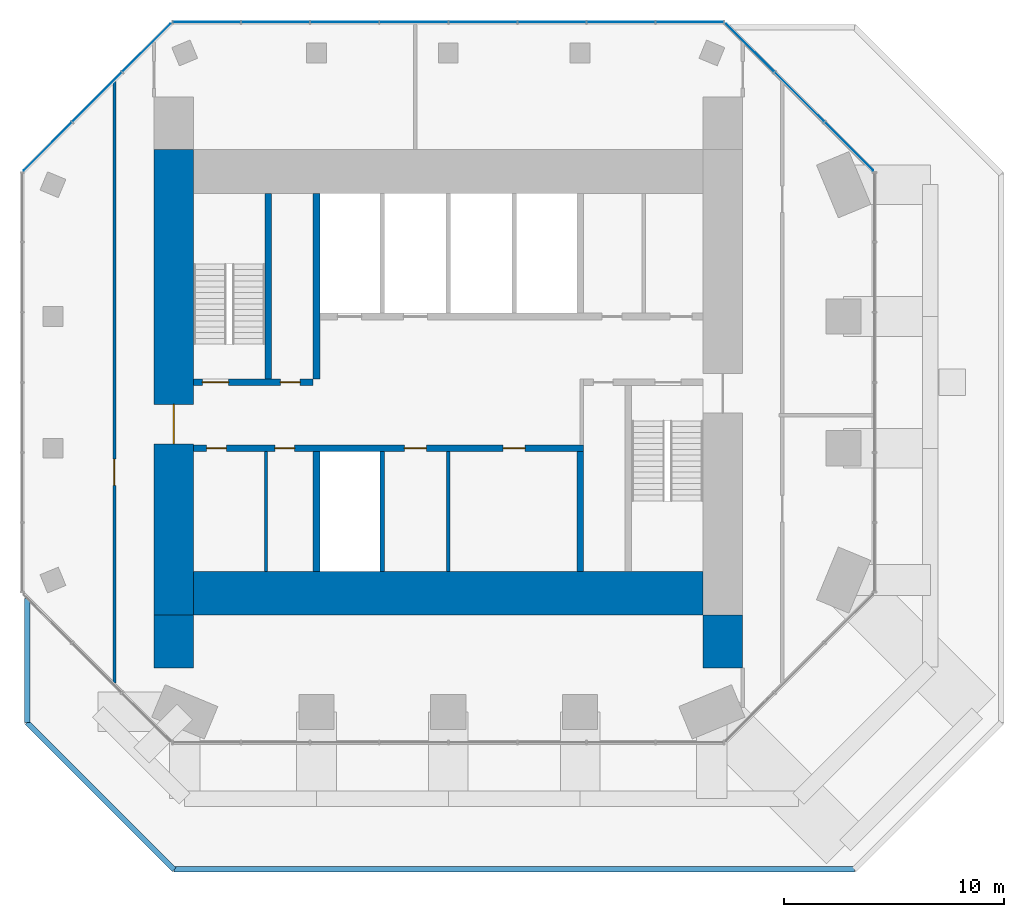
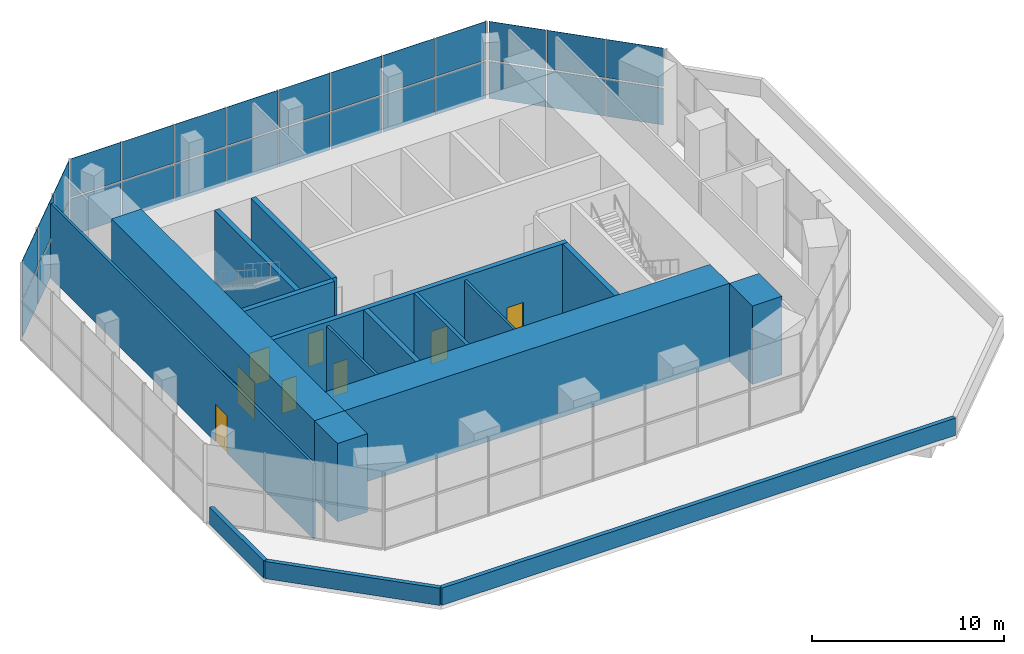
# One storey, part 7 of 9: 28 plates, 17 walls, 8 doors, 8 openings, 3 elements without a shape of their own.
"""IFC4 building model written with IfcOpenShell, lengths in metres."""

from ifc_helpers import new_model, si_unit, direction, frame, frame_2d, origin, origin_2d, place, context, subcontext, project, spatial, rectangle, extrude, material, layer, layer_set, type_object, element, fill, aggregate, save


model = new_model("IFC4")

# Units and contexts
model_context = context("Model", 3, precision=1e-05, world=origin(), true_north=direction((0.0, 1.0)))
body_context = subcontext(model_context, "Body", "Model", "MODEL_VIEW")
ifc_project = project(units=[si_unit("LENGTHUNIT", "METRE"), si_unit("AREAUNIT", "SQUARE_METRE"), si_unit("VOLUMEUNIT", "CUBIC_METRE"), si_unit("PLANEANGLEUNIT", "RADIAN"), si_unit("MASSUNIT", "GRAM", prefix="KILO")], contexts=[model_context])

# Site, building, storey
site_placement = place(None, origin())
site = spatial("IfcSite", under=ifc_project, at=site_placement, CompositionType="ELEMENT")
building_placement = place(site_placement, origin())
building = spatial("IfcBuilding", under=site, at=building_placement, Name="Highveld Stack Headquarters", CompositionType="ELEMENT")
storey_placement = place(building_placement, frame((0.0, 0.0, 295.699951171875)))
storey = spatial("IfcBuildingStorey", under=building, at=storey_placement, Name="L73", CompositionType="ELEMENT", Elevation=295.699951171875)

# Curtain wall, plates
ifc_material_1 = material(Name="Aluminium bronze anodised", Category="aluminium")
ifc_layer_1 = layer(ifc_material_1, 0.199951171875)
ifc_layer_set_1 = layer_set([ifc_layer_1], Name="Aluminium bronze anodised")
curtain_wall_type = type_object("IfcCurtainWallType", Name="CW4 LANTERN CURTAIN WALL", PredefinedType="NOTDEFINED", material=ifc_layer_set_1)
curtain_wall_1_placement = place(storey_placement, origin())
curtain_wall_1 = element("IfcCurtainWall", 1, at=curtain_wall_1_placement, inside=storey, type_object=curtain_wall_type, Name="Curtain wall CW4 L73 NE", PredefinedType="NOTDEFINED")
ifc_material_2 = material(Name="Glass translucent laminated glass", Category="glass")
ifc_layer_2 = layer(ifc_material_2, 0.02197265625)
ifc_layer_set_2 = layer_set([ifc_layer_2], Name="Glass translucent laminated glass")
plate_type = type_object("IfcPlateType", Name="CW4 PANEL TRANSLUCENT LAMINATED GLASS", PredefinedType="CURTAIN_PANEL", material=ifc_layer_set_2)
plate_1_placement = place(storey_placement, frame((24.239501953125, 13.740478515625, 0.10009765625), z_axis=(0.0, 0.0, 1.0), x_axis=(-0.707106781187, 0.707106781187, 0.0)))
plate_1 = element("IfcPlate", 2, at=plate_1_placement, type_object=plate_type, Name="CW4 panel L73 1.1", PredefinedType="CURTAIN_PANEL", context=body_context, shape_type="SweptSolid", body=[
    extrude(rectangle(XDim=3.08251953125, YDim=0.02197265625, at=origin_2d()), origin(), (0.0, 0.0, 1.0), 2.35009765625),
])
plate_2_placement = place(storey_placement, frame((24.239501953125, 13.740478515625, 2.55029296875), z_axis=(0.0, 0.0, 1.0), x_axis=(-0.707106781187, 0.707106781187, 0.0)))
plate_2 = element("IfcPlate", 3, at=plate_2_placement, type_object=plate_type, Name="CW4 panel L73 1.2", PredefinedType="CURTAIN_PANEL", context=body_context, shape_type="SweptSolid", body=[
    extrude(rectangle(XDim=3.08251953125, YDim=0.02197265625, at=origin_2d()), origin(), (0.0, 0.0, 1.0), 2.449951171875),
])
plate_3_placement = place(storey_placement, frame((21.989990234375, 15.989990234375, 0.10009765625), z_axis=(0.0, 0.0, 1.0), x_axis=(-0.707106781187, 0.707106781187, 0.0)))
plate_3 = element("IfcPlate", 4, at=plate_3_placement, type_object=plate_type, Name="CW4 panel L73 2.1", PredefinedType="CURTAIN_PANEL", context=body_context, shape_type="SweptSolid", body=[
    extrude(rectangle(XDim=3.14990234375, YDim=0.02197265625, at=origin_2d()), origin(), (0.0, 0.0, 1.0), 2.35009765625),
])
plate_4_placement = place(storey_placement, frame((21.989990234375, 15.989990234375, 2.55029296875), z_axis=(0.0, 0.0, 1.0), x_axis=(-0.707106781187, 0.707106781187, 0.0)))
plate_4 = element("IfcPlate", 5, at=plate_4_placement, type_object=plate_type, Name="CW4 panel L73 2.2", PredefinedType="CURTAIN_PANEL", context=body_context, shape_type="SweptSolid", body=[
    extrude(rectangle(XDim=3.14990234375, YDim=0.02197265625, at=origin_2d()), origin(), (0.0, 0.0, 1.0), 2.449951171875),
])
plate_5_placement = place(storey_placement, frame((19.740478515625, 18.239501953125, 0.10009765625), z_axis=(0.0, 0.0, 1.0), x_axis=(-0.707106781187, 0.707106781187, 0.0)))
plate_5 = element("IfcPlate", 6, at=plate_5_placement, type_object=plate_type, Name="CW4 panel L73 3.1", PredefinedType="CURTAIN_PANEL", context=body_context, shape_type="SweptSolid", body=[
    extrude(rectangle(XDim=3.08251953125, YDim=0.02197265625, at=origin_2d()), origin(), (0.0, 0.0, 1.0), 2.35009765625),
])
plate_6_placement = place(storey_placement, frame((19.740478515625, 18.239501953125, 2.55029296875), z_axis=(0.0, 0.0, 1.0), x_axis=(-0.707106781187, 0.707106781187, 0.0)))
plate_6 = element("IfcPlate", 7, at=plate_6_placement, type_object=plate_type, Name="CW4 panel L73 3.2", PredefinedType="CURTAIN_PANEL", context=body_context, shape_type="SweptSolid", body=[
    extrude(rectangle(XDim=3.08251953125, YDim=0.02197265625, at=origin_2d()), origin(), (0.0, 0.0, 1.0), 2.449951171875),
])
aggregate(curtain_wall_1, [plate_1, plate_2, plate_3, plate_4, plate_5, plate_6])

curtain_wall_2_placement = place(storey_placement, origin())
curtain_wall_2 = element("IfcCurtainWall", 8, at=curtain_wall_2_placement, inside=storey, type_object=curtain_wall_type, Name="Curtain wall CW4 L73 N", PredefinedType="NOTDEFINED")
plate_7_placement = place(storey_placement, frame((16.9912109375, 19.39990234375, 0.10009765625), z_axis=(0.0, 0.0, 1.0), x_axis=(-1.0, 0.0, 0.0)))
plate_7 = element("IfcPlate", 9, at=plate_7_placement, type_object=plate_type, Name="CW4 panel L73 1.1", PredefinedType="CURTAIN_PANEL", context=body_context, shape_type="SweptSolid", body=[
    extrude(rectangle(XDim=3.047607421875, YDim=0.02197265625, at=origin_2d()), origin(), (0.0, 0.0, 1.0), 2.35009765625),
])
plate_8_placement = place(storey_placement, frame((16.9912109375, 19.39990234375, 2.55029296875), z_axis=(0.0, 0.0, 1.0), x_axis=(-1.0, 0.0, 0.0)))
plate_8 = element("IfcPlate", 10, at=plate_8_placement, type_object=plate_type, Name="CW4 panel L73 1.2", PredefinedType="CURTAIN_PANEL", context=body_context, shape_type="SweptSolid", body=[
    extrude(rectangle(XDim=3.047607421875, YDim=0.02197265625, at=origin_2d()), origin(), (0.0, 0.0, 1.0), 2.449951171875),
])
plate_9_placement = place(storey_placement, frame((13.8623046875, 19.39990234375, 0.10009765625), z_axis=(0.0, 0.0, 1.0), x_axis=(-1.0, 0.0, 0.0)))
plate_9 = element("IfcPlate", 11, at=plate_9_placement, type_object=plate_type, Name="CW4 panel L73 2.1", PredefinedType="CURTAIN_PANEL", context=body_context, shape_type="SweptSolid", body=[
    extrude(rectangle(XDim=3.080078125, YDim=0.02197265625, at=origin_2d()), origin(), (0.0, 0.0, 1.0), 2.35009765625),
])
plate_10_placement = place(storey_placement, frame((13.8623046875, 19.39990234375, 2.55029296875), z_axis=(0.0, 0.0, 1.0), x_axis=(-1.0, 0.0, 0.0)))
plate_10 = element("IfcPlate", 12, at=plate_10_placement, type_object=plate_type, Name="CW4 panel L73 2.2", PredefinedType="CURTAIN_PANEL", context=body_context, shape_type="SweptSolid", body=[
    extrude(rectangle(XDim=3.080078125, YDim=0.02197265625, at=origin_2d()), origin(), (0.0, 0.0, 1.0), 2.449951171875),
])
plate_11_placement = place(storey_placement, frame((10.717529296875, 19.39990234375, 0.10009765625), z_axis=(0.0, 0.0, 1.0), x_axis=(-1.0, 0.0, 0.0)))
plate_11 = element("IfcPlate", 13, at=plate_11_placement, type_object=plate_type, Name="CW4 panel L73 3.1", PredefinedType="CURTAIN_PANEL", context=body_context, shape_type="SweptSolid", body=[
    extrude(rectangle(XDim=3.080078125, YDim=0.02197265625, at=origin_2d()), origin(), (0.0, 0.0, 1.0), 2.35009765625),
])
plate_12_placement = place(storey_placement, frame((10.717529296875, 19.39990234375, 2.55029296875), z_axis=(0.0, 0.0, 1.0), x_axis=(-1.0, 0.0, 0.0)))
plate_12 = element("IfcPlate", 14, at=plate_12_placement, type_object=plate_type, Name="CW4 panel L73 3.2", PredefinedType="CURTAIN_PANEL", context=body_context, shape_type="SweptSolid", body=[
    extrude(rectangle(XDim=3.080078125, YDim=0.02197265625, at=origin_2d()), origin(), (0.0, 0.0, 1.0), 2.449951171875),
])
plate_13_placement = place(storey_placement, frame((7.572509765625, 19.39990234375, 0.10009765625), z_axis=(0.0, 0.0, 1.0), x_axis=(-1.0, 0.0, 0.0)))
plate_13 = element("IfcPlate", 15, at=plate_13_placement, type_object=plate_type, Name="CW4 panel L73 4.1", PredefinedType="CURTAIN_PANEL", context=body_context, shape_type="SweptSolid", body=[
    extrude(rectangle(XDim=3.080078125, YDim=0.02197265625, at=origin_2d()), origin(), (0.0, 0.0, 1.0), 2.35009765625),
])
plate_14_placement = place(storey_placement, frame((7.572509765625, 19.39990234375, 2.55029296875), z_axis=(0.0, 0.0, 1.0), x_axis=(-1.0, 0.0, 0.0)))
plate_14 = element("IfcPlate", 16, at=plate_14_placement, type_object=plate_type, Name="CW4 panel L73 4.2", PredefinedType="CURTAIN_PANEL", context=body_context, shape_type="SweptSolid", body=[
    extrude(rectangle(XDim=3.080078125, YDim=0.02197265625, at=origin_2d()), origin(), (0.0, 0.0, 1.0), 2.449951171875),
])
plate_15_placement = place(storey_placement, frame((4.427490234375, 19.39990234375, 0.10009765625), z_axis=(0.0, 0.0, 1.0), x_axis=(-1.0, 0.0, 0.0)))
plate_15 = element("IfcPlate", 17, at=plate_15_placement, type_object=plate_type, Name="CW4 panel L73 5.1", PredefinedType="CURTAIN_PANEL", context=body_context, shape_type="SweptSolid", body=[
    extrude(rectangle(XDim=3.080078125, YDim=0.02197265625, at=origin_2d()), origin(), (0.0, 0.0, 1.0), 2.35009765625),
])
plate_16_placement = place(storey_placement, frame((4.427490234375, 19.39990234375, 2.55029296875), z_axis=(0.0, 0.0, 1.0), x_axis=(-1.0, 0.0, 0.0)))
plate_16 = element("IfcPlate", 18, at=plate_16_placement, type_object=plate_type, Name="CW4 panel L73 5.2", PredefinedType="CURTAIN_PANEL", context=body_context, shape_type="SweptSolid", body=[
    extrude(rectangle(XDim=3.080078125, YDim=0.02197265625, at=origin_2d()), origin(), (0.0, 0.0, 1.0), 2.449951171875),
])
plate_17_placement = place(storey_placement, frame((1.282470703125, 19.39990234375, 0.10009765625), z_axis=(0.0, 0.0, 1.0), x_axis=(-1.0, 0.0, 0.0)))
plate_17 = element("IfcPlate", 19, at=plate_17_placement, type_object=plate_type, Name="CW4 panel L73 6.1", PredefinedType="CURTAIN_PANEL", context=body_context, shape_type="SweptSolid", body=[
    extrude(rectangle(XDim=3.080078125, YDim=0.02197265625, at=origin_2d()), origin(), (0.0, 0.0, 1.0), 2.35009765625),
])
plate_18_placement = place(storey_placement, frame((1.282470703125, 19.39990234375, 2.55029296875), z_axis=(0.0, 0.0, 1.0), x_axis=(-1.0, 0.0, 0.0)))
plate_18 = element("IfcPlate", 20, at=plate_18_placement, type_object=plate_type, Name="CW4 panel L73 6.2", PredefinedType="CURTAIN_PANEL", context=body_context, shape_type="SweptSolid", body=[
    extrude(rectangle(XDim=3.080078125, YDim=0.02197265625, at=origin_2d()), origin(), (0.0, 0.0, 1.0), 2.449951171875),
])
plate_19_placement = place(storey_placement, frame((-1.8623046875, 19.39990234375, 0.10009765625), z_axis=(0.0, 0.0, 1.0), x_axis=(-1.0, 0.0, 0.0)))
plate_19 = element("IfcPlate", 21, at=plate_19_placement, type_object=plate_type, Name="CW4 panel L73 7.1", PredefinedType="CURTAIN_PANEL", context=body_context, shape_type="SweptSolid", body=[
    extrude(rectangle(XDim=3.080078125, YDim=0.02197265625, at=origin_2d()), origin(), (0.0, 0.0, 1.0), 2.35009765625),
])
plate_20_placement = place(storey_placement, frame((-1.8623046875, 19.39990234375, 2.55029296875), z_axis=(0.0, 0.0, 1.0), x_axis=(-1.0, 0.0, 0.0)))
plate_20 = element("IfcPlate", 22, at=plate_20_placement, type_object=plate_type, Name="CW4 panel L73 7.2", PredefinedType="CURTAIN_PANEL", context=body_context, shape_type="SweptSolid", body=[
    extrude(rectangle(XDim=3.080078125, YDim=0.02197265625, at=origin_2d()), origin(), (0.0, 0.0, 1.0), 2.449951171875),
])
plate_21_placement = place(storey_placement, frame((-4.9912109375, 19.39990234375, 0.10009765625), z_axis=(0.0, 0.0, 1.0), x_axis=(-1.0, 0.0, 0.0)))
plate_21 = element("IfcPlate", 23, at=plate_21_placement, type_object=plate_type, Name="CW4 panel L73 8.1", PredefinedType="CURTAIN_PANEL", context=body_context, shape_type="SweptSolid", body=[
    extrude(rectangle(XDim=3.047607421875, YDim=0.02197265625, at=origin_2d()), origin(), (0.0, 0.0, 1.0), 2.35009765625),
])
plate_22_placement = place(storey_placement, frame((-4.9912109375, 19.39990234375, 2.55029296875), z_axis=(0.0, 0.0, 1.0), x_axis=(-1.0, 0.0, 0.0)))
plate_22 = element("IfcPlate", 24, at=plate_22_placement, type_object=plate_type, Name="CW4 panel L73 8.2", PredefinedType="CURTAIN_PANEL", context=body_context, shape_type="SweptSolid", body=[
    extrude(rectangle(XDim=3.047607421875, YDim=0.02197265625, at=origin_2d()), origin(), (0.0, 0.0, 1.0), 2.449951171875),
])
aggregate(curtain_wall_2, [plate_7, plate_8, plate_9, plate_10, plate_11, plate_12, plate_13, plate_14, plate_15, plate_16, plate_17, plate_18, plate_19, plate_20, plate_21, plate_22])

curtain_wall_3_placement = place(storey_placement, origin())
curtain_wall_3 = element("IfcCurtainWall", 25, at=curtain_wall_3_placement, inside=storey, type_object=curtain_wall_type, Name="Curtain wall CW4 L73 NW", PredefinedType="NOTDEFINED")
plate_23_placement = place(storey_placement, frame((-7.740478515625, 18.239501953125, 0.10009765625), z_axis=(0.0, 0.0, 1.0), x_axis=(-0.707106781187, -0.707106781187, 0.0)))
plate_23 = element("IfcPlate", 26, at=plate_23_placement, type_object=plate_type, Name="CW4 panel L73 1.1", PredefinedType="CURTAIN_PANEL", context=body_context, shape_type="SweptSolid", body=[
    extrude(rectangle(XDim=3.08251953125, YDim=0.02197265625, at=origin_2d()), origin(), (0.0, 0.0, 1.0), 2.35009765625),
])
plate_24_placement = place(storey_placement, frame((-7.740478515625, 18.239501953125, 2.55029296875), z_axis=(0.0, 0.0, 1.0), x_axis=(-0.707106781187, -0.707106781187, 0.0)))
plate_24 = element("IfcPlate", 27, at=plate_24_placement, type_object=plate_type, Name="CW4 panel L73 1.2", PredefinedType="CURTAIN_PANEL", context=body_context, shape_type="SweptSolid", body=[
    extrude(rectangle(XDim=3.08251953125, YDim=0.02197265625, at=origin_2d()), origin(), (0.0, 0.0, 1.0), 2.449951171875),
])
plate_25_placement = place(storey_placement, frame((-9.989990234375, 15.989990234375, 0.10009765625), z_axis=(0.0, 0.0, 1.0), x_axis=(-0.707106781187, -0.707106781187, 0.0)))
plate_25 = element("IfcPlate", 28, at=plate_25_placement, type_object=plate_type, Name="CW4 panel L73 2.1", PredefinedType="CURTAIN_PANEL", context=body_context, shape_type="SweptSolid", body=[
    extrude(rectangle(XDim=3.14990234375, YDim=0.02197265625, at=origin_2d()), origin(), (0.0, 0.0, 1.0), 2.35009765625),
])
plate_26_placement = place(storey_placement, frame((-9.989990234375, 15.989990234375, 2.55029296875), z_axis=(0.0, 0.0, 1.0), x_axis=(-0.707106781187, -0.707106781187, 0.0)))
plate_26 = element("IfcPlate", 29, at=plate_26_placement, type_object=plate_type, Name="CW4 panel L73 2.2", PredefinedType="CURTAIN_PANEL", context=body_context, shape_type="SweptSolid", body=[
    extrude(rectangle(XDim=3.14990234375, YDim=0.02197265625, at=origin_2d()), origin(), (0.0, 0.0, 1.0), 2.449951171875),
])
plate_27_placement = place(storey_placement, frame((-12.239501953125, 13.740478515625, 0.10009765625), z_axis=(0.0, 0.0, 1.0), x_axis=(-0.707106781187, -0.707106781187, 0.0)))
plate_27 = element("IfcPlate", 30, at=plate_27_placement, type_object=plate_type, Name="CW4 panel L73 3.1", PredefinedType="CURTAIN_PANEL", context=body_context, shape_type="SweptSolid", body=[
    extrude(rectangle(XDim=3.08251953125, YDim=0.02197265625, at=origin_2d()), origin(), (0.0, 0.0, 1.0), 2.35009765625),
])
plate_28_placement = place(storey_placement, frame((-12.239501953125, 13.740478515625, 2.55029296875), z_axis=(0.0, 0.0, 1.0), x_axis=(-0.707106781187, -0.707106781187, 0.0)))
plate_28 = element("IfcPlate", 31, at=plate_28_placement, type_object=plate_type, Name="CW4 panel L73 3.2", PredefinedType="CURTAIN_PANEL", context=body_context, shape_type="SweptSolid", body=[
    extrude(rectangle(XDim=3.08251953125, YDim=0.02197265625, at=origin_2d()), origin(), (0.0, 0.0, 1.0), 2.449951171875),
])
aggregate(curtain_wall_3, [plate_23, plate_24, plate_25, plate_26, plate_27, plate_28])

# Wall, opening, door
ifc_material_3 = material(Name="Concrete C60/75", Category="concrete")
ifc_layer_3 = layer(ifc_material_3, 1.800048828125)
ifc_layer_set_3 = layer_set([ifc_layer_3], Name="Concrete C60/75")
wall_type_1 = type_object("IfcWallType", Name="CORE WALL 1800 C60/75", PredefinedType="SHEAR", material=ifc_layer_set_3)
wall_1_placement = place(storey_placement, frame((-6.5, -7.60009765625, 0.0), z_axis=(0.0, 0.0, 1.0), x_axis=(0.0, 1.0, 0.0)))
wall_1 = element("IfcWall", 32, at=wall_1_placement, inside=storey, type_object=wall_type_1, Name="Core wall W L73", PredefinedType="SHEAR", context=body_context, shape_type="SweptSolid", body=[
    extrude(rectangle(XDim=21.2001953125, YDim=1.800048828125, at=frame_2d((10.60009765625, 0.0))), origin(), (0.0, 0.0, 1.0), 5.0),
])
opening_1_placement = place(wall_1_placement, frame((7.800048828125, 0.0, 0.0)))
opening_1 = element("IfcOpeningElement", 33, at=opening_1_placement, cuts=wall_1, Name="Opening L73-01", PredefinedType="OPENING", context=body_context, shape_type="SweptSolid", body=[
    extrude(rectangle(XDim=1.800048828125, YDim=2.39990234375, at=frame_2d((0.89990234375, 1.199951171875))), frame((0.0, 0.909912109375, 0.0), z_axis=(0.0, -1.0, 0.0), x_axis=(1.0, 0.0, 0.0)), (0.0, 0.0, 1.0), 1.820068359375),
])
ifc_material_4 = material(Name="Steel fire door", Category="steel")
door_type_1 = type_object("IfcDoorType", Name="LOBBY FIRE DOOR D4 1800x2400", OperationType="DOUBLE_DOOR_SINGLE_SWING", PredefinedType="DOOR", material=ifc_material_4)
door_1_placement = place(opening_1_placement, origin())
door_1 = element("IfcDoor", 34, at=door_1_placement, inside=storey, type_object=door_type_1, Name="Core west door L73", OperationType="DOUBLE_DOOR_SINGLE_SWING", OverallHeight=2.39990234375, OverallWidth=1.800048828125, PredefinedType="DOOR", context=body_context, shape_type="SweptSolid", body=[
    extrude(rectangle(XDim=1.800048828125, YDim=2.39990234375, at=frame_2d((0.89990234375, 1.199951171875))), frame((0.0, 0.02490234375, 0.0), z_axis=(0.0, -1.0, 0.0), x_axis=(1.0, 0.0, 0.0)), (0.0, 0.0, 1.0), 0.050048828125),
])
fill(opening_1, door_1)

# Wall
ifc_material_5 = material(Name="Concrete C60/75", Category="concrete")
ifc_layer_4 = layer(ifc_material_5, 2.0)
ifc_layer_set_4 = layer_set([ifc_layer_4], Name="Concrete C60/75")
wall_type_2 = type_object("IfcWallType", Name="CORE WALL 2000 C60/75", PredefinedType="SHEAR", material=ifc_layer_set_4)
wall_2_placement = place(storey_placement, frame((-5.60009765625, -6.60009765625, 0.0), z_axis=(0.0, 0.0, 1.0), x_axis=(1.0, 0.0, 0.0)))
element("IfcWall", 35, at=wall_2_placement, inside=storey, type_object=wall_type_2, Name="Core wall S L73", PredefinedType="SHEAR", context=body_context, shape_type="SweptSolid", body=[
    extrude(rectangle(XDim=23.2001953125, YDim=2.0, at=frame_2d((11.60009765625, 0.0))), origin(), (0.0, 0.0, 1.0), 5.0),
])

# Wall, openings, doors
ifc_material_6 = material(Name="Concrete C60/75", Category="concrete")
ifc_layer_5 = layer(ifc_material_6, 0.300048828125)
ifc_layer_set_5 = layer_set([ifc_layer_5], Name="Concrete C60/75")
wall_type_3 = type_object("IfcWallType", Name="CORE WALL 300 C60/75", PredefinedType="SHEAR", material=ifc_layer_set_5)
wall_3_placement = place(storey_placement, frame((-5.60009765625, 0.0, 0.0), z_axis=(0.0, 0.0, 1.0), x_axis=(1.0, 0.0, 0.0)))
wall_3 = element("IfcWall", 36, at=wall_3_placement, inside=storey, type_object=wall_type_3, Name="Core wall I-Y0 L73", PredefinedType="SHEAR", context=body_context, shape_type="SweptSolid", body=[
    extrude(rectangle(XDim=17.75, YDim=0.300048828125, at=frame_2d((8.875, 0.0))), origin(), (0.0, 0.0, 1.0), 5.0),
])
opening_2_placement = place(wall_3_placement, frame((0.60009765625, 0.0, 0.0)))
opening_2 = element("IfcOpeningElement", 37, at=opening_2_placement, cuts=wall_3, Name="Opening L73-07", PredefinedType="OPENING", context=body_context, shape_type="SweptSolid", body=[
    extrude(rectangle(XDim=0.89990234375, YDim=2.10009765625, at=frame_2d((0.449951171875, 1.050048828125))), frame((0.0, 0.159912109375, 0.0), z_axis=(0.0, -1.0, 0.0), x_axis=(1.0, 0.0, 0.0)), (0.0, 0.0, 1.0), 0.320068359375),
])
opening_3_placement = place(wall_3_placement, frame((3.699951171875, 0.0, 0.0)))
opening_3 = element("IfcOpeningElement", 38, at=opening_3_placement, cuts=wall_3, Name="Opening L73-08", PredefinedType="OPENING", context=body_context, shape_type="SweptSolid", body=[
    extrude(rectangle(XDim=0.89990234375, YDim=2.10009765625, at=frame_2d((0.449951171875, 1.050048828125))), frame((0.0, 0.159912109375, 0.0), z_axis=(0.0, -1.0, 0.0), x_axis=(1.0, 0.0, 0.0)), (0.0, 0.0, 1.0), 0.320068359375),
])
opening_4_placement = place(wall_3_placement, frame((9.60009765625, 0.0, 0.0)))
opening_4 = element("IfcOpeningElement", 39, at=opening_4_placement, cuts=wall_3, Name="Opening L73-11", PredefinedType="OPENING", context=body_context, shape_type="SweptSolid", body=[
    extrude(rectangle(XDim=1.0, YDim=2.10009765625, at=frame_2d((0.5, 1.050048828125))), frame((0.0, 0.159912109375, 0.0), z_axis=(0.0, -1.0, 0.0), x_axis=(1.0, 0.0, 0.0)), (0.0, 0.0, 1.0), 0.320068359375),
])
opening_5_placement = place(wall_3_placement, frame((14.10009765625, 0.0, 0.0)))
opening_5 = element("IfcOpeningElement", 40, at=opening_5_placement, cuts=wall_3, Name="Opening L73-12", PredefinedType="OPENING", context=body_context, shape_type="SweptSolid", body=[
    extrude(rectangle(XDim=1.0, YDim=2.10009765625, at=frame_2d((0.5, 1.050048828125))), frame((0.0, 0.159912109375, 0.0), z_axis=(0.0, -1.0, 0.0), x_axis=(1.0, 0.0, 0.0)), (0.0, 0.0, 1.0), 0.320068359375),
])
ifc_material_7 = material(Name="Steel fire door", Category="steel")
door_type_2 = type_object("IfcDoorType", Name="CORE ROOM FIRE DOOR D14 1000x2100", OperationType="SINGLE_SWING_LEFT", PredefinedType="DOOR", material=ifc_material_7)
door_2_placement = place(opening_4_placement, origin())
door_2 = element("IfcDoor", 41, at=door_2_placement, inside=storey, type_object=door_type_2, Name="Capped S 1 door L73", OperationType="SINGLE_SWING_RIGHT", OverallHeight=2.10009765625, OverallWidth=1.0, PredefinedType="DOOR", context=body_context, shape_type="SweptSolid", body=[
    extrude(rectangle(XDim=1.0, YDim=2.10009765625, at=frame_2d((0.5, 1.050048828125))), frame((0.0, 0.02490234375, 0.0), z_axis=(0.0, -1.0, 0.0), x_axis=(1.0, 0.0, 0.0)), (0.0, 0.0, 1.0), 0.050048828125),
])
fill(opening_4, door_2)
door_3_placement = place(opening_5_placement, origin())
door_3 = element("IfcDoor", 42, at=door_3_placement, inside=storey, type_object=door_type_2, Name="Capped S 2 door L73", OperationType="SINGLE_SWING_RIGHT", OverallHeight=2.10009765625, OverallWidth=1.0, PredefinedType="DOOR", context=body_context, shape_type="SweptSolid", body=[
    extrude(rectangle(XDim=1.0, YDim=2.10009765625, at=frame_2d((0.5, 1.050048828125))), frame((0.0, 0.02490234375, 0.0), z_axis=(0.0, -1.0, 0.0), x_axis=(1.0, 0.0, 0.0)), (0.0, 0.0, 1.0), 0.050048828125),
])
fill(opening_5, door_3)
ifc_material_8 = material(Name="Timber door, painted", Category="wood")
door_type_3 = type_object("IfcDoorType", Name="WC DOOR D1 900x2100", OperationType="SINGLE_SWING_LEFT", PredefinedType="DOOR", material=ifc_material_8)
door_4_placement = place(opening_2_placement, origin())
door_4 = element("IfcDoor", 43, at=door_4_placement, inside=storey, type_object=door_type_3, Name="Female WC door L73", OperationType="SINGLE_SWING_LEFT", OverallHeight=2.10009765625, OverallWidth=0.89990234375, PredefinedType="DOOR", context=body_context, shape_type="SweptSolid", body=[
    extrude(rectangle(XDim=0.89990234375, YDim=2.10009765625, at=frame_2d((0.449951171875, 1.050048828125))), frame((0.0, 0.02490234375, 0.0), z_axis=(0.0, -1.0, 0.0), x_axis=(1.0, 0.0, 0.0)), (0.0, 0.0, 1.0), 0.050048828125),
])
fill(opening_2, door_4)
door_5_placement = place(opening_3_placement, origin())
door_5 = element("IfcDoor", 44, at=door_5_placement, inside=storey, type_object=door_type_3, Name="Shower and changing room door L73", OperationType="SINGLE_SWING_LEFT", OverallHeight=2.10009765625, OverallWidth=0.89990234375, PredefinedType="DOOR", context=body_context, shape_type="SweptSolid", body=[
    extrude(rectangle(XDim=0.89990234375, YDim=2.10009765625, at=frame_2d((0.449951171875, 1.050048828125))), frame((0.0, 0.02490234375, 0.0), z_axis=(0.0, -1.0, 0.0), x_axis=(1.0, 0.0, 0.0)), (0.0, 0.0, 1.0), 0.050048828125),
])
fill(opening_3, door_5)

wall_4_placement = place(storey_placement, frame((-5.60009765625, 3.0, 0.0), z_axis=(0.0, 0.0, 1.0), x_axis=(1.0, 0.0, 0.0)))
wall_4 = element("IfcWall", 45, at=wall_4_placement, inside=storey, type_object=wall_type_3, Name="Core wall I-Y3W L73", PredefinedType="SHEAR", context=body_context, shape_type="SweptSolid", body=[
    extrude(rectangle(XDim=5.4501953125, YDim=0.300048828125, at=frame_2d((2.72509765625, 0.0))), origin(), (0.0, 0.0, 1.0), 5.0),
])
opening_6_placement = place(wall_4_placement, frame((0.39990234375, 0.0, 0.0)))
opening_6 = element("IfcOpeningElement", 46, at=opening_6_placement, cuts=wall_4, Name="Opening L73-03", PredefinedType="OPENING", context=body_context, shape_type="SweptSolid", body=[
    extrude(rectangle(XDim=1.199951171875, YDim=2.10009765625, at=frame_2d((0.60009765625, 1.050048828125))), frame((0.0, 0.159912109375, 0.0), z_axis=(0.0, -1.0, 0.0), x_axis=(1.0, 0.0, 0.0)), (0.0, 0.0, 1.0), 0.320068359375),
])
opening_7_placement = place(wall_4_placement, frame((3.949951171875, 0.0, 0.0)))
opening_7 = element("IfcOpeningElement", 47, at=opening_7_placement, cuts=wall_4, Name="Opening L73-04", PredefinedType="OPENING", context=body_context, shape_type="SweptSolid", body=[
    extrude(rectangle(XDim=0.89990234375, YDim=2.10009765625, at=frame_2d((0.449951171875, 1.050048828125))), frame((0.0, 0.159912109375, 0.0), z_axis=(0.0, -1.0, 0.0), x_axis=(1.0, 0.0, 0.0)), (0.0, 0.0, 1.0), 0.320068359375),
])
ifc_material_9 = material(Name="Steel fire door", Category="steel")
door_type_4 = type_object("IfcDoorType", Name="RISER ACCESS DOOR D5 900x2100", OperationType="SINGLE_SWING_LEFT", PredefinedType="DOOR", material=ifc_material_9)
door_6_placement = place(opening_7_placement, origin())
door_6 = element("IfcDoor", 48, at=door_6_placement, inside=storey, type_object=door_type_4, Name="Riser R1 door L73", OperationType="SINGLE_SWING_RIGHT", OverallHeight=2.10009765625, OverallWidth=0.89990234375, PredefinedType="DOOR", context=body_context, shape_type="SweptSolid", body=[
    extrude(rectangle(XDim=0.89990234375, YDim=2.10009765625, at=frame_2d((0.449951171875, 1.050048828125))), frame((0.0, 0.02490234375, 0.0), z_axis=(0.0, -1.0, 0.0), x_axis=(1.0, 0.0, 0.0)), (0.0, 0.0, 1.0), 0.050048828125),
])
fill(opening_7, door_6)
ifc_material_10 = material(Name="Steel fire door", Category="steel")
door_type_5 = type_object("IfcDoorType", Name="STAIR FIRE DOOR D3 1200x2100", OperationType="SINGLE_SWING_LEFT", PredefinedType="DOOR", material=ifc_material_10)
door_7_placement = place(opening_6_placement, origin())
door_7 = element("IfcDoor", 49, at=door_7_placement, inside=storey, type_object=door_type_5, Name="Stair S1 door L73", OperationType="SINGLE_SWING_LEFT", OverallHeight=2.10009765625, OverallWidth=1.199951171875, PredefinedType="DOOR", context=body_context, shape_type="SweptSolid", body=[
    extrude(rectangle(XDim=1.199951171875, YDim=2.10009765625, at=frame_2d((0.60009765625, 1.050048828125))), frame((0.0, 0.02490234375, 0.0), z_axis=(0.0, -1.0, 0.0), x_axis=(1.0, 0.0, 0.0)), (0.0, 0.0, 1.0), 0.050048828125),
])
fill(opening_6, door_7)

# Walls
wall_5_placement = place(storey_placement, frame((0.0, -5.60009765625, 0.0), z_axis=(0.0, 0.0, 1.0), x_axis=(0.0, 1.0, 0.0)))
element("IfcWall", 50, at=wall_5_placement, inside=storey, type_object=wall_type_3, Name="Core wall I-X0S L73", PredefinedType="SHEAR", context=body_context, shape_type="SweptSolid", body=[
    extrude(rectangle(XDim=5.4501953125, YDim=0.300048828125, at=frame_2d((2.72509765625, 0.0))), origin(), (0.0, 0.0, 1.0), 5.0),
])
wall_6_placement = place(storey_placement, frame((0.0, 3.14990234375, 0.0), z_axis=(0.0, 0.0, 1.0), x_axis=(0.0, 1.0, 0.0)))
element("IfcWall", 51, at=wall_6_placement, inside=storey, type_object=wall_type_3, Name="Core wall I-X0N L73", PredefinedType="SHEAR", context=body_context, shape_type="SweptSolid", body=[
    extrude(rectangle(XDim=8.4501953125, YDim=0.300048828125, at=frame_2d((4.22509765625, 0.0))), origin(), (0.0, 0.0, 1.0), 5.0),
])
wall_7_placement = place(storey_placement, frame((12.0, -5.60009765625, 0.0), z_axis=(0.0, 0.0, 1.0), x_axis=(0.0, 1.0, 0.0)))
element("IfcWall", 52, at=wall_7_placement, inside=storey, type_object=wall_type_3, Name="Core wall I-X12S L73", PredefinedType="SHEAR", context=body_context, shape_type="SweptSolid", body=[
    extrude(rectangle(XDim=5.4501953125, YDim=0.300048828125, at=frame_2d((2.72509765625, 0.0))), origin(), (0.0, 0.0, 1.0), 5.0),
])
wall_8_placement = place(storey_placement, frame((-2.199951171875, 3.14990234375, 0.0), z_axis=(0.0, 0.0, 1.0), x_axis=(0.0, 1.0, 0.0)))
element("IfcWall", 53, at=wall_8_placement, inside=storey, type_object=wall_type_3, Name="Core wall I-RW L73", PredefinedType="SHEAR", context=body_context, shape_type="SweptSolid", body=[
    extrude(rectangle(XDim=8.4501953125, YDim=0.300048828125, at=frame_2d((4.22509765625, 0.0))), origin(), (0.0, 0.0, 1.0), 5.0),
])
ifc_material_11 = material(Name="Concrete C60/75", Category="concrete")
ifc_layer_6 = layer(ifc_material_11, 1.800048828125)
ifc_layer_set_6 = layer_set([ifc_layer_6], Name="Concrete C60/75")
wall_type_4 = type_object("IfcWallType", Name="CORE WING WALL 1800 C60/75", PredefinedType="SHEAR", material=ifc_layer_set_6)
for number, where, z_axis, x_axis, name in (
    (54, (-6.5, -10.0, 0.0), (0.0, 0.0, 1.0), (0.0, 1.0, 0.0), "Core wing wall WS L73"),
    (55, (18.5, -10.0, 0.0), (0.0, 0.0, 1.0), (0.0, 1.0, 0.0), "Core wing wall ES L73"),
):
    element("IfcWall", number, at=place(storey_placement, frame(where, z_axis=z_axis, x_axis=x_axis)), inside=storey, type_object=wall_type_4, Name=name, PredefinedType="SHEAR", context=body_context, shape_type="SweptSolid", body=[
        extrude(rectangle(XDim=2.39990234375, YDim=1.800048828125, at=frame_2d((1.199951171875, 0.0))), origin(), (0.0, 0.0, 1.0), 5.0),
    ])
ifc_material_12 = material(Name="Concrete blockwork, plastered", Category="masonry")
ifc_layer_7 = layer(ifc_material_12, 0.14990234375)
ifc_layer_set_7 = layer_set([ifc_layer_7], Name="Concrete blockwork, plastered")
wall_type_5 = type_object("IfcWallType", Name="FIRE PARTITION 150 BLOCKWORK", PredefinedType="PARTITIONING", material=ifc_layer_set_7)
wall_9_placement = place(storey_placement, frame((6.0, -5.60009765625, 0.0), z_axis=(0.0, 0.0, 1.0), x_axis=(0.0, 1.0, 0.0)))
element("IfcWall", 56, at=wall_9_placement, inside=storey, type_object=wall_type_5, Name="Core room partition L73", PredefinedType="PARTITIONING", context=body_context, shape_type="SweptSolid", body=[
    extrude(rectangle(XDim=5.4501953125, YDim=0.14990234375, at=frame_2d((2.72509765625, 0.0))), origin(), (0.0, 0.0, 1.0), 4.75),
])

# Wall, opening, door
wall_10_placement = place(storey_placement, frame((-9.199951171875, -10.68896484375, 0.0), z_axis=(0.0, 0.0, 1.0), x_axis=(0.0, 1.0, 0.0)))
wall_10 = element("IfcWall", 57, at=wall_10_placement, inside=storey, type_object=wall_type_5, Name="Partition office neighbourhood L73", PredefinedType="PARTITIONING", context=body_context, shape_type="SweptSolid", body=[
    extrude(rectangle(XDim=27.3779296875, YDim=0.14990234375, at=frame_2d((13.68896484375, 0.0))), origin(), (0.0, 0.0, 1.0), 4.75),
])
opening_8_placement = place(wall_10_placement, frame((8.9970703125, 0.0, 0.0)))
opening_8 = element("IfcOpeningElement", 58, at=opening_8_placement, cuts=wall_10, Name="Opening L73-14", PredefinedType="OPENING", context=body_context, shape_type="SweptSolid", body=[
    extrude(rectangle(XDim=1.199951171875, YDim=2.39990234375, at=frame_2d((0.60009765625, 1.199951171875))), frame((0.0, 0.0849609375, 0.0), z_axis=(0.0, -1.0, 0.0), x_axis=(1.0, 0.0, 0.0)), (0.0, 0.0, 1.0), 0.169921875),
])
ifc_material_13 = material(Name="Steel fire door", Category="steel")
door_type_6 = type_object("IfcDoorType", Name="PLANT FIRE DOOR D7 1200x2400", OperationType="SINGLE_SWING_LEFT", PredefinedType="DOOR", material=ifc_material_13)
door_8_placement = place(opening_8_placement, origin())
door_8 = element("IfcDoor", 59, at=door_8_placement, inside=storey, type_object=door_type_6, Name="Plant room door L73", OperationType="SINGLE_SWING_LEFT", OverallHeight=2.39990234375, OverallWidth=1.199951171875, PredefinedType="DOOR", context=body_context, shape_type="SweptSolid", body=[
    extrude(rectangle(XDim=1.199951171875, YDim=2.39990234375, at=frame_2d((0.60009765625, 1.199951171875))), frame((0.0, 0.02490234375, 0.0), z_axis=(0.0, -1.0, 0.0), x_axis=(1.0, 0.0, 0.0)), (0.0, 0.0, 1.0), 0.050048828125),
])
fill(opening_8, door_8)

# Walls
ifc_material_14 = material(Name="Concrete blockwork, fair-faced", Category="masonry")
ifc_layer_8 = layer(ifc_material_14, 0.199951171875)
ifc_layer_set_8 = layer_set([ifc_layer_8], Name="Concrete blockwork, fair-faced")
wall_type_6 = type_object("IfcWallType", Name="LIFT SHAFT ENCLOSURE WALL 200 BLOCKWORK", PredefinedType="SOLIDWALL", material=ifc_layer_set_8)
wall_11_placement = place(storey_placement, frame((3.0, -5.60009765625, 0.0), z_axis=(0.0, 0.0, 1.0), x_axis=(0.0, 1.0, 0.0)))
element("IfcWall", 60, at=wall_11_placement, inside=storey, type_object=wall_type_6, Name="Lift shaft wall L73", PredefinedType="SOLIDWALL", context=body_context, shape_type="SweptSolid", body=[
    extrude(rectangle(XDim=5.4501953125, YDim=0.199951171875, at=frame_2d((2.72509765625, 0.0))), origin(), (0.0, 0.0, 1.0), 5.0),
])
ifc_material_15 = material(Name="Concrete C40/50, precast parapet", Category="concrete")
ifc_layer_9 = layer(ifc_material_15, 0.25)
ifc_layer_set_9 = layer_set([ifc_layer_9], Name="Concrete C40/50, precast parapet")
wall_type_7 = type_object("IfcWallType", Name="PARAPET WALL PP1 250", PredefinedType="PARAPET", material=ifc_layer_set_9)
wall_12_placement = place(storey_placement, frame((24.48681640625, -19.175048828125, 0.0), z_axis=(0.0, 0.0, 1.0), x_axis=(-1.0, 0.0, 0.0)))
element("IfcWall", 61, at=wall_12_placement, inside=storey, type_object=wall_type_7, Name="Roof parapet L73 4", PredefinedType="PARAPET", context=body_context, shape_type="SweptSolid", body=[
    extrude(rectangle(XDim=30.9736328125, YDim=0.25, at=frame_2d((15.48681640625, 0.0))), origin(), (0.0, 0.0, 1.0), 1.10009765625),
])
wall_13_placement = place(storey_placement, frame((-6.48681640625, -19.175048828125, 0.0), z_axis=(0.0, 0.0, 1.0), x_axis=(-0.707106781187, 0.707106781187, 0.0)))
element("IfcWall", 62, at=wall_13_placement, inside=storey, type_object=wall_type_7, Name="Roof parapet L73 5", PredefinedType="PARAPET", context=body_context, shape_type="SweptSolid", body=[
    extrude(rectangle(XDim=9.45849609375, YDim=0.25, at=frame_2d((4.729248046875, 0.0))), origin(), (0.0, 0.0, 1.0), 1.10009765625),
])
wall_14_placement = place(storey_placement, frame((-13.175048828125, -12.48681640625, 0.0), z_axis=(0.0, 0.0, 1.0), x_axis=(0.0, 1.0, 0.0)))
element("IfcWall", 63, at=wall_14_placement, inside=storey, type_object=wall_type_7, Name="Roof parapet L73 6", PredefinedType="PARAPET", context=body_context, shape_type="SweptSolid", body=[
    extrude(rectangle(XDim=5.646484375, YDim=0.25, at=frame_2d((2.8232421875, 0.0))), origin(), (0.0, 0.0, 1.0), 1.10009765625),
])
ifc_material_16 = material(Name="Concrete blockwork, tiled", Category="masonry")
ifc_layer_10 = layer(ifc_material_16, 0.14990234375)
ifc_layer_set_10 = layer_set([ifc_layer_10], Name="Concrete blockwork, tiled")
wall_type_8 = type_object("IfcWallType", Name="WC PARTITION 150", PredefinedType="PLUMBINGWALL", material=ifc_layer_set_10)
wall_15_placement = place(storey_placement, frame((-2.300048828125, -5.60009765625, 0.0), z_axis=(0.0, 0.0, 1.0), x_axis=(0.0, 1.0, 0.0)))
element("IfcWall", 64, at=wall_15_placement, inside=storey, type_object=wall_type_8, Name="Toilet partition L73", PredefinedType="PLUMBINGWALL", context=body_context, shape_type="SweptSolid", body=[
    extrude(rectangle(XDim=5.4501953125, YDim=0.14990234375, at=frame_2d((2.72509765625, 0.0))), origin(), (0.0, 0.0, 1.0), 4.75),
])

save(model, "model.ifc")
